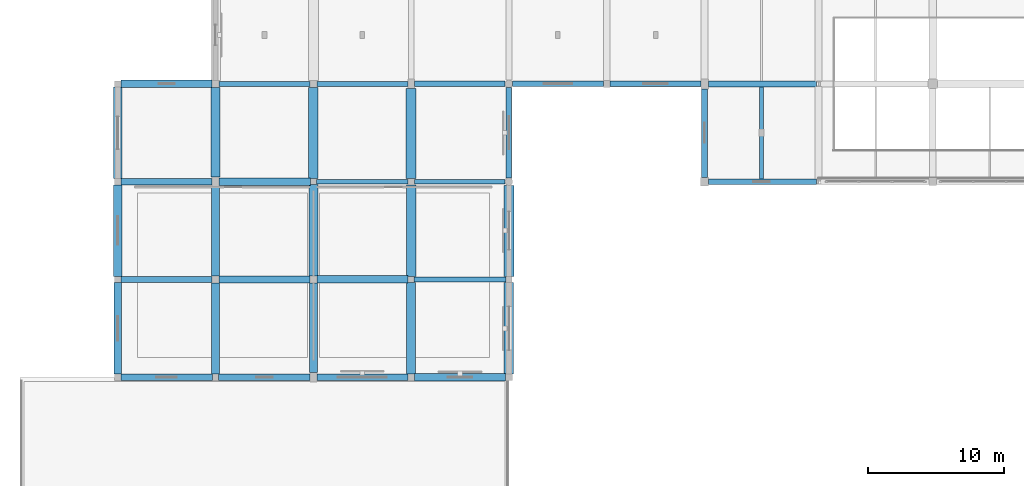
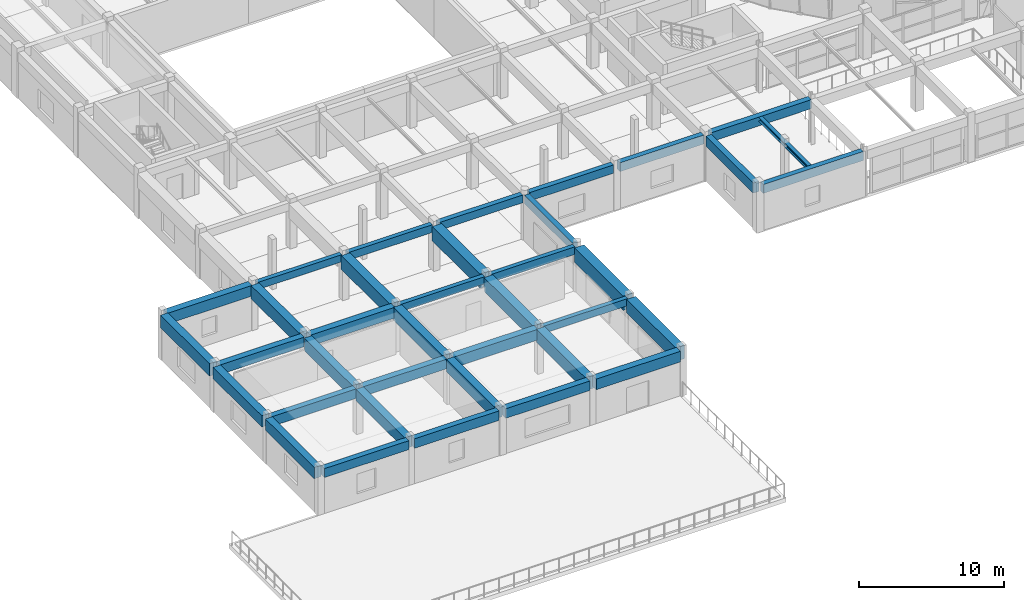
# One storey, part 10 of 71: 37 beams.
"""IFC4 building model written with IfcOpenShell, lengths in metres."""

from ifc_helpers import new_model, si_unit, direction, frame, origin, origin_2d, place, context, subcontext, project, spatial, rectangle, i_section, extrude, material, material_profile, profile_set, type_object, element, save


model = new_model("IFC4")

# Units and contexts
model_context = context("Model", 3, precision=1e-05, world=origin(), true_north=direction((0.0, 1.0)))
body_context = subcontext(model_context, "Body", "Model", "MODEL_VIEW")
ifc_project = project(units=[si_unit("LENGTHUNIT", "METRE"), si_unit("AREAUNIT", "SQUARE_METRE"), si_unit("VOLUMEUNIT", "CUBIC_METRE"), si_unit("PLANEANGLEUNIT", "RADIAN"), si_unit("MASSUNIT", "GRAM", prefix="KILO")], contexts=[model_context])

# Site, building, storey
site_placement = place(None, origin())
site = spatial("IfcSite", under=ifc_project, at=site_placement, CompositionType="ELEMENT")
building_placement = place(site_placement, origin())
building = spatial("IfcBuilding", under=site, at=building_placement, Name="Korsvaeld Concert Hall", CompositionType="ELEMENT")
storey_placement = place(building_placement, frame((0.0, 0.0, 4.800048828125)))
storey = spatial("IfcBuildingStorey", under=building, at=storey_placement, Name="L01", CompositionType="ELEMENT", Elevation=4.800048828125)

# Beams
ifc_material_1 = material(Name="Concrete C35/45", Category="concrete")
ifc_material_profile_1 = material_profile(ifc_material_1, rectangle(XDim=0.35009765625, YDim=0.60009765625, at=origin_2d()), Name="RC 350x600")
ifc_profile_set_1 = profile_set([ifc_material_profile_1], Name="Concrete C35/45")
beam_type_1 = type_object("IfcBeamType", Name="BM-RC-350x600", PredefinedType="T_BEAM", material=ifc_profile_set_1)
beam_1_placement = place(storey_placement, frame((29.02490234375, 21.60009765625, 3.5400390625), z_axis=(1.0, 0.0, 0.0), x_axis=(0.0, 1.0, 0.0)))
element("IfcBeam", 1, at=beam_1_placement, inside=storey, type_object=beam_type_1, Name="Primary girder 5-6/D L01", PredefinedType="T_BEAM", context=body_context, shape_type="SweptSolid", body=[
    extrude(rectangle(XDim=0.35009765625, YDim=0.60009765625, at=origin_2d()), origin(), (0.0, 0.0, 1.0), 6.75),
])
beam_2_placement = place(storey_placement, frame((21.824951171875, 28.800048828125, 3.5400390625), z_axis=(1.0, 0.0, 0.0), x_axis=(0.0, 1.0, 0.0)))
element("IfcBeam", 2, at=beam_2_placement, inside=storey, type_object=beam_type_1, Name="Primary girder 4-5/E L01", PredefinedType="T_BEAM", context=body_context, shape_type="SweptSolid", body=[
    extrude(rectangle(XDim=0.35009765625, YDim=0.60009765625, at=origin_2d()), origin(), (0.0, 0.0, 1.0), 6.72509765625),
])
beam_3_placement = place(storey_placement, frame((14.64990234375, 36.0, 3.5400390625), z_axis=(1.0, 0.0, 0.0), x_axis=(0.0, 1.0, 0.0)))
element("IfcBeam", 3, at=beam_3_placement, inside=storey, type_object=beam_type_1, Name="Primary girder 3-4/F L01", PredefinedType="T_BEAM", context=body_context, shape_type="SweptSolid", body=[
    extrude(rectangle(XDim=0.35009765625, YDim=0.60009765625, at=origin_2d()), origin(), (0.0, 0.0, 1.0), 6.7001953125),
])
ifc_material_profile_2 = material_profile(ifc_material_1, rectangle(XDim=0.35009765625, YDim=0.64990234375, at=origin_2d()), Name="RC 350x650")
ifc_profile_set_2 = profile_set([ifc_material_profile_2], Name="Concrete C35/45")
beam_type_2 = type_object("IfcBeamType", Name="BM-RC-350x650", PredefinedType="T_BEAM", material=ifc_profile_set_2)
beam_4_placement = place(storey_placement, frame((29.050048828125, 28.800048828125, 3.514892578125), z_axis=(1.0, 0.0, 0.0), x_axis=(0.0, 1.0, 0.0)))
element("IfcBeam", 4, at=beam_4_placement, inside=storey, type_object=beam_type_2, Name="Primary girder 5-6/E L01", PredefinedType="T_BEAM", context=body_context, shape_type="SweptSolid", body=[
    extrude(rectangle(XDim=0.35009765625, YDim=0.64990234375, at=origin_2d()), origin(), (0.0, 0.0, 1.0), 6.675048828125),
])
beam_5_placement = place(storey_placement, frame((21.85009765625, 36.0, 3.514892578125), z_axis=(1.0, 0.0, 0.0), x_axis=(0.0, 1.0, 0.0)))
element("IfcBeam", 5, at=beam_5_placement, inside=storey, type_object=beam_type_2, Name="Primary girder 4-5/F L01", PredefinedType="T_BEAM", context=body_context, shape_type="SweptSolid", body=[
    extrude(rectangle(XDim=0.35009765625, YDim=0.64990234375, at=origin_2d()), origin(), (0.0, 0.0, 1.0), 6.699951171875),
])
ifc_material_profile_3 = material_profile(ifc_material_1, rectangle(XDim=0.39990234375, YDim=0.64990234375, at=origin_2d()), Name="RC 400x650")
ifc_profile_set_3 = profile_set([ifc_material_profile_3], Name="Concrete C35/45")
beam_type_3 = type_object("IfcBeamType", Name="BM-RC-400x650", PredefinedType="T_BEAM", material=ifc_profile_set_3)
beam_6_placement = place(storey_placement, frame((29.050048828125, 36.0, 3.514892578125), z_axis=(1.0, 0.0, 0.0), x_axis=(0.0, 1.0, 0.0)))
element("IfcBeam", 6, at=beam_6_placement, inside=storey, type_object=beam_type_3, Name="Primary girder 5-6/F L01", PredefinedType="T_BEAM", context=body_context, shape_type="SweptSolid", body=[
    extrude(rectangle(XDim=0.39990234375, YDim=0.64990234375, at=origin_2d()), origin(), (0.0, 0.0, 1.0), 6.675048828125),
])
ifc_material_profile_4 = material_profile(ifc_material_1, rectangle(XDim=0.39990234375, YDim=0.699951171875, at=origin_2d()), Name="RC 400x700")
ifc_profile_set_4 = profile_set([ifc_material_profile_4], Name="Concrete C35/45")
beam_type_4 = type_object("IfcBeamType", Name="BM-RC-400x700", PredefinedType="T_BEAM", material=ifc_profile_set_4)
beam_7_placement = place(storey_placement, frame((36.27490234375, 36.0, 3.489990234375), z_axis=(1.0, 0.0, 0.0), x_axis=(0.0, 1.0, 0.0)))
element("IfcBeam", 7, at=beam_7_placement, inside=storey, type_object=beam_type_4, Name="Primary girder 6-7/F L01", PredefinedType="T_BEAM", context=body_context, shape_type="SweptSolid", body=[
    extrude(rectangle(XDim=0.39990234375, YDim=0.699951171875, at=origin_2d()), origin(), (0.0, 0.0, 1.0), 6.675048828125),
])
beam_8_placement = place(storey_placement, frame((36.0, 29.074951171875, 3.489990234375), z_axis=(0.0, 1.0, 0.0), x_axis=(-1.0, 0.0, 0.0)))
element("IfcBeam", 8, at=beam_8_placement, inside=storey, type_object=beam_type_4, Name="Primary girder 6/E-F L01", PredefinedType="T_BEAM", context=body_context, shape_type="SweptSolid", body=[
    extrude(rectangle(XDim=0.39990234375, YDim=0.699951171875, at=origin_2d()), origin(), (0.0, 0.0, 1.0), 6.650146484375),
])
ifc_material_profile_5 = material_profile(ifc_material_1, rectangle(XDim=0.39990234375, YDim=0.75, at=origin_2d()), Name="RC 400x750")
ifc_profile_set_5 = profile_set([ifc_material_profile_5], Name="Concrete C35/45")
beam_type_5 = type_object("IfcBeamType", Name="BM-RC-400x750", PredefinedType="T_BEAM", material=ifc_profile_set_5)
beam_9_placement = place(storey_placement, frame((50.699951171875, 28.800048828125, 3.46484375), z_axis=(1.0, 0.0, 0.0), x_axis=(0.0, 1.0, 0.0)))
element("IfcBeam", 9, at=beam_9_placement, inside=storey, type_object=beam_type_5, Name="Primary girder 8-9/E L01", PredefinedType="T_BEAM", context=body_context, shape_type="SweptSolid", body=[
    extrude(rectangle(XDim=0.39990234375, YDim=0.75, at=origin_2d()), origin(), (0.0, 0.0, 1.0), 7.949951171875),
])
beam_10_placement = place(storey_placement, frame((43.449951171875, 36.0, 3.46484375), z_axis=(1.0, 0.0, 0.0), x_axis=(0.0, 1.0, 0.0)))
element("IfcBeam", 10, at=beam_10_placement, inside=storey, type_object=beam_type_5, Name="Primary girder 7-8/F L01", PredefinedType="T_BEAM", context=body_context, shape_type="SweptSolid", body=[
    extrude(rectangle(XDim=0.39990234375, YDim=0.75, at=origin_2d()), origin(), (0.0, 0.0, 1.0), 6.675048828125),
])
ifc_material_profile_6 = material_profile(ifc_material_1, rectangle(XDim=0.449951171875, YDim=0.75, at=origin_2d()), Name="RC 450x750")
ifc_profile_set_6 = profile_set([ifc_material_profile_6], Name="Concrete C35/45")
beam_type_6 = type_object("IfcBeamType", Name="BM-RC-450x750", PredefinedType="T_BEAM", material=ifc_profile_set_6)
beam_11_placement = place(storey_placement, frame((7.449951171875, 14.39990234375, 3.46484375), z_axis=(1.0, 0.0, 0.0), x_axis=(0.0, 1.0, 0.0)))
element("IfcBeam", 11, at=beam_11_placement, inside=storey, type_object=beam_type_6, Name="Primary girder 2-3/C L01", PredefinedType="T_BEAM", context=body_context, shape_type="SweptSolid", body=[
    extrude(rectangle(XDim=0.449951171875, YDim=0.75, at=origin_2d()), origin(), (0.0, 0.0, 1.0), 6.72509765625),
])
beam_12_placement = place(storey_placement, frame((50.675048828125, 36.0, 3.46484375), z_axis=(1.0, 0.0, 0.0), x_axis=(0.0, 1.0, 0.0)))
element("IfcBeam", 12, at=beam_12_placement, inside=storey, type_object=beam_type_6, Name="Primary girder 8-9/F L01", PredefinedType="T_BEAM", context=body_context, shape_type="SweptSolid", body=[
    extrude(rectangle(XDim=0.449951171875, YDim=0.75, at=origin_2d()), origin(), (0.0, 0.0, 1.0), 7.974853515625),
])
ifc_material_profile_7 = material_profile(ifc_material_1, rectangle(XDim=0.449951171875, YDim=0.800048828125, at=origin_2d()), Name="RC 450x800")
ifc_profile_set_7 = profile_set([ifc_material_profile_7], Name="Concrete C35/45")
beam_type_7 = type_object("IfcBeamType", Name="BM-RC-450x800", PredefinedType="T_BEAM", material=ifc_profile_set_7)
beam_13_placement = place(storey_placement, frame((14.625, 14.39990234375, 3.43994140625), z_axis=(1.0, 0.0, 0.0), x_axis=(0.0, 1.0, 0.0)))
element("IfcBeam", 13, at=beam_13_placement, inside=storey, type_object=beam_type_7, Name="Primary girder 3-4/C L01", PredefinedType="T_BEAM", context=body_context, shape_type="SweptSolid", body=[
    extrude(rectangle(XDim=0.449951171875, YDim=0.800048828125, at=origin_2d()), origin(), (0.0, 0.0, 1.0), 6.72509765625),
])
beam_14_placement = place(storey_placement, frame((7.425048828125, 21.60009765625, 3.43994140625), z_axis=(1.0, 0.0, 0.0), x_axis=(0.0, 1.0, 0.0)))
element("IfcBeam", 14, at=beam_14_placement, inside=storey, type_object=beam_type_7, Name="Primary girder 2-3/D L01", PredefinedType="T_BEAM", context=body_context, shape_type="SweptSolid", body=[
    extrude(rectangle(XDim=0.449951171875, YDim=0.800048828125, at=origin_2d()), origin(), (0.0, 0.0, 1.0), 6.724853515625),
])
ifc_material_2 = material(Name="Concrete C40/50", Category="concrete")
ifc_material_profile_8 = material_profile(ifc_material_2, rectangle(XDim=0.449951171875, YDim=0.85009765625, at=origin_2d()), Name="RC 450x850")
ifc_profile_set_8 = profile_set([ifc_material_profile_8], Name="Concrete C40/50")
beam_type_8 = type_object("IfcBeamType", Name="BM-RC-450x850", PredefinedType="T_BEAM", material=ifc_profile_set_8)
beam_15_placement = place(storey_placement, frame((50.39990234375, 29.10009765625, 3.4150390625), z_axis=(0.0, 1.0, 0.0), x_axis=(-1.0, 0.0, 0.0)))
element("IfcBeam", 15, at=beam_15_placement, inside=storey, type_object=beam_type_8, Name="Primary girder 8/E-F L01", PredefinedType="T_BEAM", context=body_context, shape_type="SweptSolid", body=[
    extrude(rectangle(XDim=0.449951171875, YDim=0.85009765625, at=origin_2d()), origin(), (0.0, 0.0, 1.0), 6.52490234375),
])
ifc_material_profile_9 = material_profile(ifc_material_2, rectangle(XDim=0.5, YDim=0.800048828125, at=origin_2d()), Name="RC 500x800")
ifc_profile_set_9 = profile_set([ifc_material_profile_9], Name="Concrete C40/50")
beam_type_9 = type_object("IfcBeamType", Name="BM-RC-500x800", PredefinedType="T_BEAM", material=ifc_profile_set_9)
beam_16_placement = place(storey_placement, frame((21.85009765625, 14.39990234375, 3.43994140625), z_axis=(1.0, 0.0, 0.0), x_axis=(0.0, 1.0, 0.0)))
element("IfcBeam", 16, at=beam_16_placement, inside=storey, type_object=beam_type_9, Name="Primary girder 4-5/C L01", PredefinedType="T_BEAM", context=body_context, shape_type="SweptSolid", body=[
    extrude(rectangle(XDim=0.5, YDim=0.800048828125, at=origin_2d()), origin(), (0.0, 0.0, 1.0), 6.699951171875),
])
beam_17_placement = place(storey_placement, frame((14.64990234375, 21.60009765625, 3.43994140625), z_axis=(1.0, 0.0, 0.0), x_axis=(0.0, 1.0, 0.0)))
element("IfcBeam", 17, at=beam_17_placement, inside=storey, type_object=beam_type_9, Name="Primary girder 3-4/D L01", PredefinedType="T_BEAM", context=body_context, shape_type="SweptSolid", body=[
    extrude(rectangle(XDim=0.5, YDim=0.800048828125, at=origin_2d()), origin(), (0.0, 0.0, 1.0), 6.7001953125),
])
beam_18_placement = place(storey_placement, frame((7.449951171875, 28.800048828125, 3.43994140625), z_axis=(1.0, 0.0, 0.0), x_axis=(0.0, 1.0, 0.0)))
element("IfcBeam", 18, at=beam_18_placement, inside=storey, type_object=beam_type_9, Name="Primary girder 2-3/E L01", PredefinedType="T_BEAM", context=body_context, shape_type="SweptSolid", body=[
    extrude(rectangle(XDim=0.5, YDim=0.800048828125, at=origin_2d()), origin(), (0.0, 0.0, 1.0), 6.699951171875),
])
ifc_material_profile_10 = material_profile(ifc_material_2, rectangle(XDim=0.550048828125, YDim=0.89990234375, at=origin_2d()), Name="RC 550x900")
ifc_profile_set_10 = profile_set([ifc_material_profile_10], Name="Concrete C40/50")
beam_type_10 = type_object("IfcBeamType", Name="BM-RC-550x900", PredefinedType="T_BEAM", material=ifc_profile_set_10)
beam_19_placement = place(storey_placement, frame((29.050048828125, 14.39990234375, 3.389892578125), z_axis=(1.0, 0.0, 0.0), x_axis=(0.0, 1.0, 0.0)))
element("IfcBeam", 19, at=beam_19_placement, inside=storey, type_object=beam_type_10, Name="Primary girder 5-6/C L01", PredefinedType="T_BEAM", context=body_context, shape_type="SweptSolid", body=[
    extrude(rectangle(XDim=0.550048828125, YDim=0.89990234375, at=origin_2d()), origin(), (0.0, 0.0, 1.0), 6.699951171875),
])
beam_20_placement = place(storey_placement, frame((21.85009765625, 21.60009765625, 3.389892578125), z_axis=(1.0, 0.0, 0.0), x_axis=(0.0, 1.0, 0.0)))
element("IfcBeam", 20, at=beam_20_placement, inside=storey, type_object=beam_type_10, Name="Primary girder 4-5/D L01", PredefinedType="T_BEAM", context=body_context, shape_type="SweptSolid", body=[
    extrude(rectangle(XDim=0.550048828125, YDim=0.89990234375, at=origin_2d()), origin(), (0.0, 0.0, 1.0), 6.724853515625),
])
beam_21_placement = place(storey_placement, frame((14.64990234375, 28.800048828125, 3.389892578125), z_axis=(1.0, 0.0, 0.0), x_axis=(0.0, 1.0, 0.0)))
element("IfcBeam", 21, at=beam_21_placement, inside=storey, type_object=beam_type_10, Name="Primary girder 3-4/E L01", PredefinedType="T_BEAM", context=body_context, shape_type="SweptSolid", body=[
    extrude(rectangle(XDim=0.550048828125, YDim=0.89990234375, at=origin_2d()), origin(), (0.0, 0.0, 1.0), 6.72509765625),
])
beam_22_placement = place(storey_placement, frame((7.425048828125, 36.0, 3.389892578125), z_axis=(1.0, 0.0, 0.0), x_axis=(0.0, 1.0, 0.0)))
element("IfcBeam", 22, at=beam_22_placement, inside=storey, type_object=beam_type_10, Name="Primary girder 2-3/F L01", PredefinedType="T_BEAM", context=body_context, shape_type="SweptSolid", body=[
    extrude(rectangle(XDim=0.550048828125, YDim=0.89990234375, at=origin_2d()), origin(), (0.0, 0.0, 1.0), 6.724853515625),
])
ifc_material_profile_11 = material_profile(ifc_material_2, rectangle(XDim=0.550048828125, YDim=0.949951171875, at=origin_2d()), Name="RC 550x950")
ifc_profile_set_11 = profile_set([ifc_material_profile_11], Name="Concrete C40/50")
beam_type_11 = type_object("IfcBeamType", Name="BM-RC-550x950", PredefinedType="T_BEAM", material=ifc_profile_set_11)
beam_23_placement = place(storey_placement, frame((7.199951171875, 14.64990234375, 3.364990234375), z_axis=(0.0, 1.0, 0.0), x_axis=(-1.0, 0.0, 0.0)))
element("IfcBeam", 23, at=beam_23_placement, inside=storey, type_object=beam_type_11, Name="Primary girder 2/C-D L01", PredefinedType="T_BEAM", context=body_context, shape_type="SweptSolid", body=[
    extrude(rectangle(XDim=0.550048828125, YDim=0.949951171875, at=origin_2d()), origin(), (0.0, 0.0, 1.0), 6.72509765625),
])
ifc_material_profile_12 = material_profile(ifc_material_2, rectangle(XDim=0.60009765625, YDim=1.050048828125, at=origin_2d()), Name="RC 600x1050")
ifc_profile_set_12 = profile_set([ifc_material_profile_12], Name="Concrete C40/50")
beam_type_12 = type_object("IfcBeamType", Name="BM-RC-600x1050", PredefinedType="T_BEAM", material=ifc_profile_set_12)
beam_24_placement = place(storey_placement, frame((7.199951171875, 29.050048828125, 3.31494140625), z_axis=(0.0, 1.0, 0.0), x_axis=(-1.0, 0.0, 0.0)))
element("IfcBeam", 24, at=beam_24_placement, inside=storey, type_object=beam_type_12, Name="Primary girder 2/E-F L01", PredefinedType="T_BEAM", context=body_context, shape_type="SweptSolid", body=[
    extrude(rectangle(XDim=0.60009765625, YDim=1.050048828125, at=origin_2d()), origin(), (0.0, 0.0, 1.0), 6.724853515625),
])
beam_25_placement = place(storey_placement, frame((14.39990234375, 21.85009765625, 3.31494140625), z_axis=(0.0, 1.0, 0.0), x_axis=(-1.0, 0.0, 0.0)))
element("IfcBeam", 25, at=beam_25_placement, inside=storey, type_object=beam_type_12, Name="Primary girder 3/D-E L01", PredefinedType="T_BEAM", context=body_context, shape_type="SweptSolid", body=[
    extrude(rectangle(XDim=0.60009765625, YDim=1.050048828125, at=origin_2d()), origin(), (0.0, 0.0, 1.0), 6.599853515625),
])
beam_26_placement = place(storey_placement, frame((21.60009765625, 14.75, 3.31494140625), z_axis=(0.0, 1.0, 0.0), x_axis=(-1.0, 0.0, 0.0)))
element("IfcBeam", 26, at=beam_26_placement, inside=storey, type_object=beam_type_12, Name="Primary girder 4/C-D L01", PredefinedType="T_BEAM", context=body_context, shape_type="SweptSolid", body=[
    extrude(rectangle(XDim=0.60009765625, YDim=1.050048828125, at=origin_2d()), origin(), (0.0, 0.0, 1.0), 6.60009765625),
])
ifc_material_profile_13 = material_profile(ifc_material_2, rectangle(XDim=0.60009765625, YDim=0.949951171875, at=origin_2d()), Name="RC 600x950")
ifc_profile_set_13 = profile_set([ifc_material_profile_13], Name="Concrete C40/50")
beam_type_13 = type_object("IfcBeamType", Name="BM-RC-600x950", PredefinedType="T_BEAM", material=ifc_profile_set_13)
for number, where, z_axis, x_axis, name in (
    (27, (7.199951171875, 21.824951171875, 3.364990234375), (0.0, 1.0, 0.0), (-1.0, 0.0, 0.0), "Primary girder 2/D-E L01"),
    (28, (14.39990234375, 14.625, 3.364990234375), (0.0, 1.0, 0.0), (-1.0, 0.0, 0.0), "Primary girder 3/C-D L01"),
):
    element("IfcBeam", number, at=place(storey_placement, frame(where, z_axis=z_axis, x_axis=x_axis)), inside=storey, type_object=beam_type_13, Name=name, PredefinedType="T_BEAM", context=body_context, shape_type="SweptSolid", body=[
        extrude(rectangle(XDim=0.60009765625, YDim=0.949951171875, at=origin_2d()), origin(), (0.0, 0.0, 1.0), 6.72509765625),
    ])
ifc_material_profile_14 = material_profile(ifc_material_2, rectangle(XDim=0.64990234375, YDim=1.10009765625, at=origin_2d()), Name="RC 650x1100")
ifc_profile_set_14 = profile_set([ifc_material_profile_14], Name="Concrete C40/50")
beam_type_14 = type_object("IfcBeamType", Name="BM-RC-650x1100", PredefinedType="T_BEAM", material=ifc_profile_set_14)
beam_27_placement = place(storey_placement, frame((14.39990234375, 29.14990234375, 3.2900390625), z_axis=(0.0, 1.0, 0.0), x_axis=(-1.0, 0.0, 0.0)))
element("IfcBeam", 29, at=beam_27_placement, inside=storey, type_object=beam_type_14, Name="Primary girder 3/E-F L01", PredefinedType="T_BEAM", context=body_context, shape_type="SweptSolid", body=[
    extrude(rectangle(XDim=0.64990234375, YDim=1.10009765625, at=origin_2d()), origin(), (0.0, 0.0, 1.0), 6.60009765625),
])
beam_28_placement = place(storey_placement, frame((21.60009765625, 21.85009765625, 3.2900390625), z_axis=(0.0, 1.0, 0.0), x_axis=(-1.0, 0.0, 0.0)))
element("IfcBeam", 30, at=beam_28_placement, inside=storey, type_object=beam_type_14, Name="Primary girder 4/D-E L01", PredefinedType="T_BEAM", context=body_context, shape_type="SweptSolid", body=[
    extrude(rectangle(XDim=0.64990234375, YDim=1.10009765625, at=origin_2d()), origin(), (0.0, 0.0, 1.0), 6.724853515625),
])
beam_29_placement = place(storey_placement, frame((28.800048828125, 14.64990234375, 3.2900390625), z_axis=(0.0, 1.0, 0.0), x_axis=(-1.0, 0.0, 0.0)))
element("IfcBeam", 31, at=beam_29_placement, inside=storey, type_object=beam_type_14, Name="Primary girder 5/C-D L01", PredefinedType="T_BEAM", context=body_context, shape_type="SweptSolid", body=[
    extrude(rectangle(XDim=0.64990234375, YDim=1.10009765625, at=origin_2d()), origin(), (0.0, 0.0, 1.0), 6.72509765625),
])
ifc_material_profile_15 = material_profile(ifc_material_2, rectangle(XDim=0.699951171875, YDim=1.14990234375, at=origin_2d()), Name="RC 700x1150")
ifc_profile_set_15 = profile_set([ifc_material_profile_15], Name="Concrete C40/50")
beam_type_15 = type_object("IfcBeamType", Name="BM-RC-700x1150", PredefinedType="T_BEAM", material=ifc_profile_set_15)
for number, where, z_axis, x_axis, name in (
    (32, (21.60009765625, 29.02490234375, 3.264892578125), (0.0, 1.0, 0.0), (-1.0, 0.0, 0.0), "Primary girder 4/E-F L01"),
    (33, (28.800048828125, 21.824951171875, 3.264892578125), (0.0, 1.0, 0.0), (-1.0, 0.0, 0.0), "Primary girder 5/D-E L01"),
    (34, (36.0, 14.64990234375, 3.264892578125), (0.0, 1.0, 0.0), (-1.0, 0.0, 0.0), "Primary girder 6/C-D L01"),
):
    element("IfcBeam", number, at=place(storey_placement, frame(where, z_axis=z_axis, x_axis=x_axis)), inside=storey, type_object=beam_type_15, Name=name, PredefinedType="T_BEAM", context=body_context, shape_type="SweptSolid", body=[
        extrude(rectangle(XDim=0.699951171875, YDim=1.14990234375, at=origin_2d()), origin(), (0.0, 0.0, 1.0), 6.72509765625),
    ])
ifc_material_profile_16 = material_profile(ifc_material_2, rectangle(XDim=0.75, YDim=1.199951171875, at=origin_2d()), Name="RC 750x1200")
ifc_profile_set_16 = profile_set([ifc_material_profile_16], Name="Concrete C40/50")
beam_type_16 = type_object("IfcBeamType", Name="BM-RC-750x1200", PredefinedType="T_BEAM", material=ifc_profile_set_16)
beam_30_placement = place(storey_placement, frame((28.800048828125, 29.050048828125, 3.239990234375), z_axis=(0.0, 1.0, 0.0), x_axis=(-1.0, 0.0, 0.0)))
element("IfcBeam", 35, at=beam_30_placement, inside=storey, type_object=beam_type_16, Name="Primary girder 5/E-F L01", PredefinedType="T_BEAM", context=body_context, shape_type="SweptSolid", body=[
    extrude(rectangle(XDim=0.75, YDim=1.199951171875, at=origin_2d()), origin(), (0.0, 0.0, 1.0), 6.599853515625),
])
beam_31_placement = place(storey_placement, frame((36.0, 21.824951171875, 3.239990234375), z_axis=(0.0, 1.0, 0.0), x_axis=(-1.0, 0.0, 0.0)))
element("IfcBeam", 36, at=beam_31_placement, inside=storey, type_object=beam_type_16, Name="Primary girder 6/D-E L01", PredefinedType="T_BEAM", context=body_context, shape_type="SweptSolid", body=[
    extrude(rectangle(XDim=0.75, YDim=1.199951171875, at=origin_2d()), origin(), (0.0, 0.0, 1.0), 6.699951171875),
])
ifc_material_3 = material(Name="Steel S355J2", Category="steel")
ifc_material_profile_17 = material_profile(ifc_material_3, i_section(OverallWidth=0.300048828125, OverallDepth=0.35009765625, WebThickness=0.010009765625, FlangeThickness=0.017578125, FilletRadius=0.027099609375, at=origin_2d()), Name="HEA 360")
ifc_profile_set_17 = profile_set([ifc_material_profile_17], Name="Steel S355J2")
beam_type_17 = type_object("IfcBeamType", Name="BM-STL-HEA360", PredefinedType="BEAM", material=ifc_profile_set_17)
beam_32_placement = place(storey_placement, frame((54.60009765625, 29.0, 3.6650390625), z_axis=(0.0, 1.0, 0.0), x_axis=(-1.0, 0.0, 0.0)))
element("IfcBeam", 37, at=beam_32_placement, inside=storey, type_object=beam_type_17, Name="Secondary steel floor beam 8-9/E L01", PredefinedType="BEAM", context=body_context, shape_type="SweptSolid", body=[
    extrude(i_section(OverallWidth=0.300048828125, OverallDepth=0.35009765625, WebThickness=0.010009765625, FlangeThickness=0.017578125, FilletRadius=0.027099609375, at=origin_2d()), origin(), (0.0, 0.0, 1.0), 6.77490234375),
])

save(model, "model.ifc")
